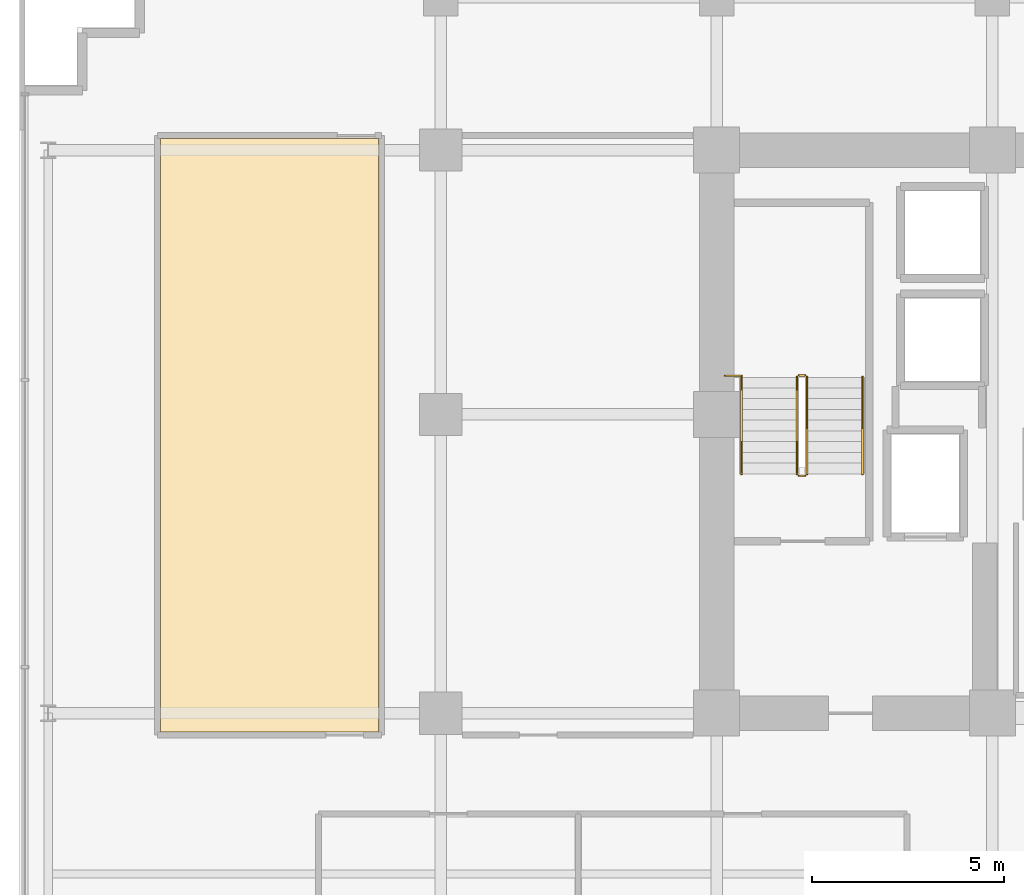
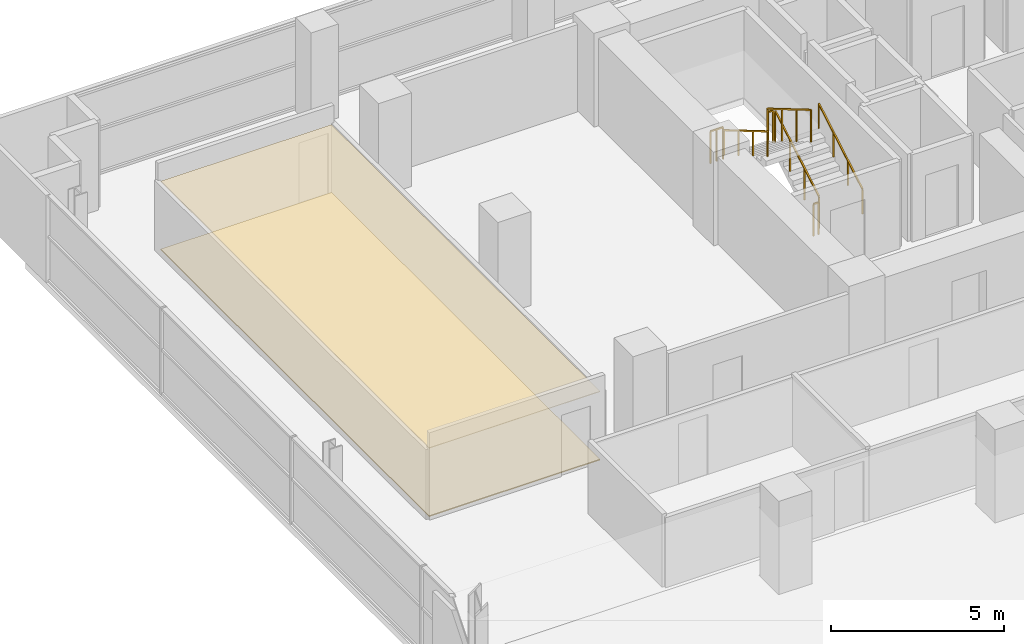
# One storey, part 27 of 30: 7 railings, 2 coverings.
"""IFC4 building model written with IfcOpenShell, lengths in metres."""

from ifc_helpers import new_model, si_unit, direction, frame, origin, origin_2d, place, context, subcontext, project, spatial, polyline, rectangle, outline, extrude, material, layer, layer_set, type_object, element, save


model = new_model("IFC4")

# Units and contexts
model_context = context("Model", 3, precision=1e-05, world=origin(), true_north=direction((0.0, 1.0)))
body_context = subcontext(model_context, "Body", "Model", "MODEL_VIEW")
ifc_project = project(units=[si_unit("LENGTHUNIT", "METRE"), si_unit("AREAUNIT", "SQUARE_METRE"), si_unit("VOLUMEUNIT", "CUBIC_METRE"), si_unit("PLANEANGLEUNIT", "RADIAN"), si_unit("MASSUNIT", "GRAM", prefix="KILO")], contexts=[model_context])

# Site, building, storey
site_placement = place(None, origin())
site = spatial("IfcSite", under=ifc_project, at=site_placement, CompositionType="ELEMENT")
building_placement = place(site_placement, origin())
building = spatial("IfcBuilding", under=site, at=building_placement, Name="Zarnakvel Exchange Tower", CompositionType="ELEMENT")
storey_placement = place(building_placement, frame((0.0, 0.0, 43.89990234375)))
storey = spatial("IfcBuildingStorey", under=building, at=storey_placement, Name="L11", CompositionType="ELEMENT", Elevation=43.89990234375)

# Coverings
ifc_material_1 = material(Name="Perforated Bronze Acoustic Metal Ceiling", Category="aluminium")
ifc_layer_1 = layer(ifc_material_1, 0.02001953125)
ifc_layer_set_1 = layer_set([ifc_layer_1], Name="Perforated Bronze Acoustic Metal Ceiling")
covering_type_1 = type_object("IfcCoveringType", Name="CLG-01", PredefinedType="CEILING", material=ifc_layer_set_1)
covering_1_placement = place(storey_placement, frame((0.0, 0.0, 2.405029296875)))
element("IfcCovering", 1, at=covering_1_placement, inside=storey, type_object=covering_type_1, Name="L11 Suspended Acoustic Ceiling (Staff Pantry)", PredefinedType="CEILING", context=body_context, shape_type="SweptSolid", body=[
    extrude(outline(polyline([(-28.916259765625, 13.800048828125), (-23.222900390625, 13.800048828125), (-23.222900390625, -1.68994140625), (-28.916259765625, -1.68994140625), (-28.916259765625, 13.800048828125)])), origin(), (0.0, 0.0, 1.0), 0.02001953125),
])
ifc_material_2 = material(Name="Heavy-Duty Raised Access Floor Panel", Category="steel")
ifc_layer_2 = layer(ifc_material_2, 0.034912109375)
ifc_layer_set_2 = layer_set([ifc_layer_2], Name="Heavy-Duty Raised Access Floor Panel")
covering_type_2 = type_object("IfcCoveringType", Name="FLR-02", PredefinedType="FLOORING", material=ifc_layer_set_2)
covering_2_placement = place(storey_placement, origin())
element("IfcCovering", 2, at=covering_2_placement, inside=storey, type_object=covering_type_2, Name="L11 Floor Finish (Staff Pantry)", PredefinedType="FLOORING", context=body_context, shape_type="SweptSolid", body=[
    extrude(outline(polyline([(-28.916259765625, 13.800048828125), (-23.222900390625, 13.800048828125), (-23.222900390625, -1.68994140625), (-28.916259765625, -1.68994140625), (-28.916259765625, 13.800048828125)])), origin(), (0.0, 0.0, 1.0), 0.03515625),
])

# Railings
ifc_material_3 = material(Name="Brushed Stainless Steel", Category="steel")
railing_type_1 = type_object("IfcRailingType", Name="HR-01", PredefinedType="HANDRAIL", material=ifc_material_3)
railing_1_placement = place(storey_placement, frame((-10.590087890625, 5.050048828125, 0.1650390625)))
element("IfcRailing", 3, at=railing_1_placement, inside=storey, type_object=railing_type_1, Name="L11 ST-01 stair handrail 1", PredefinedType="HANDRAIL", context=body_context, shape_type="SweptSolid", body=[
    extrude(rectangle(XDim=0.048095703125, YDim=0.048095703125, at=origin_2d()), frame((0.0, 0.0, 0.8759765625), z_axis=(0.0, 0.86152411907, 0.507716645641), x_axis=(-1.0, 0.0, 0.0)), (0.0, 0.0, 1.0), 2.925048828125),
    extrude(rectangle(XDim=0.0419921875, YDim=0.0419921875, at=origin_2d()), origin(), (0.0, 0.0, 1.0), 0.851806640625),
    extrude(rectangle(XDim=0.0419921875, YDim=0.0419921875, at=origin_2d()), frame((0.0, 0.840087890625, 0.4951171875)), (0.0, 0.0, 1.0), 0.851806640625),
    extrude(rectangle(XDim=0.0419921875, YDim=0.0419921875, at=origin_2d()), frame((0.0, 1.679931640625, 0.989990234375)), (0.0, 0.0, 1.0), 0.851806640625),
    extrude(rectangle(XDim=0.0419921875, YDim=0.0419921875, at=origin_2d()), frame((0.0, 2.52001953125, 1.485107421875)), (0.0, 0.0, 1.0), 0.851806640625),
])
railing_2_placement = place(storey_placement, frame((-13.75, 7.570068359375, 1.815185546875)))
element("IfcRailing", 4, at=railing_2_placement, inside=storey, type_object=railing_type_1, Name="L11 ST-01 stair handrail 2", PredefinedType="HANDRAIL", context=body_context, shape_type="SweptSolid", body=[
    extrude(rectangle(XDim=0.048095703125, YDim=0.048095703125, at=origin_2d()), frame((0.0, 0.0, 0.8759765625), z_axis=(0.0, -0.861560626758, 0.507654692109), x_axis=(1.0, 0.0, 0.0)), (0.0, 0.0, 1.0), 2.925048828125),
    extrude(rectangle(XDim=0.0419921875, YDim=0.0419921875, at=origin_2d()), origin(), (0.0, 0.0, 1.0), 0.851806640625),
    extrude(rectangle(XDim=0.0419921875, YDim=0.0419921875, at=origin_2d()), frame((0.0, -0.840087890625, 0.494873046875)), (0.0, 0.0, 1.0), 0.851806640625),
    extrude(rectangle(XDim=0.0419921875, YDim=0.0419921875, at=origin_2d()), frame((0.0, -1.679931640625, 0.989990234375)), (0.0, 0.0, 1.0), 0.851806640625),
    extrude(rectangle(XDim=0.0419921875, YDim=0.0419921875, at=origin_2d()), frame((0.0, -2.52001953125, 1.48486328125)), (0.0, 0.0, 1.0), 0.851806640625),
])
ifc_material_4 = material(Name="Architectural Bronze Anodised Aluminium", Category="aluminium")
railing_type_2 = type_object("IfcRailingType", Name="SG-01", PredefinedType="GUARDRAIL", material=ifc_material_4)
railing_3_placement = place(storey_placement, frame((-12.0400390625, 5.050048828125, 0.1650390625)))
element("IfcRailing", 5, at=railing_3_placement, inside=storey, type_object=railing_type_2, Name="L11 ST-01 stair guard 1", PredefinedType="GUARDRAIL", context=body_context, shape_type="SweptSolid", body=[
    extrude(rectangle(XDim=0.048095703125, YDim=0.048095703125, at=origin_2d()), frame((0.0, 0.0, 1.1259765625), z_axis=(0.0, 0.86152411907, 0.507716645641), x_axis=(-1.0, 0.0, 0.0)), (0.0, 0.0, 1.0), 2.925048828125),
    extrude(rectangle(XDim=0.0419921875, YDim=0.0419921875, at=origin_2d()), origin(), (0.0, 0.0, 1.0), 1.101806640625),
    extrude(rectangle(XDim=0.0419921875, YDim=0.0419921875, at=origin_2d()), frame((0.0, 0.840087890625, 0.4951171875)), (0.0, 0.0, 1.0), 1.101806640625),
    extrude(rectangle(XDim=0.0419921875, YDim=0.0419921875, at=origin_2d()), frame((0.0, 1.679931640625, 0.989990234375)), (0.0, 0.0, 1.0), 1.101806640625),
    extrude(rectangle(XDim=0.0419921875, YDim=0.0419921875, at=origin_2d()), frame((0.0, 2.52001953125, 1.485107421875)), (0.0, 0.0, 1.0), 1.101806640625),
])
railing_4_placement = place(storey_placement, frame((-12.090087890625, 7.6201171875, 1.650146484375)))
element("IfcRailing", 6, at=railing_4_placement, inside=storey, type_object=railing_type_2, Name="L11 ST-01 stair guard 2", PredefinedType="GUARDRAIL", context=body_context, shape_type="SweptSolid", body=[
    extrude(rectangle(XDim=0.048095703125, YDim=0.048095703125, at=origin_2d()), frame((0.0, 0.0, 1.1259765625), z_axis=(-1.0, 0.0, 0.0), x_axis=(0.0, -1.0, 0.0)), (0.0, 0.0, 1.0), 0.159912109375),
    extrude(rectangle(XDim=0.0419921875, YDim=0.0419921875, at=origin_2d()), origin(), (0.0, 0.0, 1.0), 1.101806640625),
    extrude(rectangle(XDim=0.0419921875, YDim=0.0419921875, at=origin_2d()), frame((-0.159912109375, 0.0, 0.0)), (0.0, 0.0, 1.0), 1.101806640625),
])
railing_5_placement = place(storey_placement, frame((-12.300048828125, 7.570068359375, 1.815185546875)))
element("IfcRailing", 7, at=railing_5_placement, inside=storey, type_object=railing_type_2, Name="L11 ST-01 stair guard 3", PredefinedType="GUARDRAIL", context=body_context, shape_type="SweptSolid", body=[
    extrude(rectangle(XDim=0.048095703125, YDim=0.048095703125, at=origin_2d()), frame((0.0, 0.0, 1.1259765625), z_axis=(0.0, -0.861560626758, 0.507654692109), x_axis=(1.0, 0.0, 0.0)), (0.0, 0.0, 1.0), 2.925048828125),
    extrude(rectangle(XDim=0.0419921875, YDim=0.0419921875, at=origin_2d()), origin(), (0.0, 0.0, 1.0), 1.101806640625),
    extrude(rectangle(XDim=0.0419921875, YDim=0.0419921875, at=origin_2d()), frame((0.0, -0.840087890625, 0.494873046875)), (0.0, 0.0, 1.0), 1.101806640625),
    extrude(rectangle(XDim=0.0419921875, YDim=0.0419921875, at=origin_2d()), frame((0.0, -1.679931640625, 0.989990234375)), (0.0, 0.0, 1.0), 1.101806640625),
    extrude(rectangle(XDim=0.0419921875, YDim=0.0419921875, at=origin_2d()), frame((0.0, -2.52001953125, 1.48486328125)), (0.0, 0.0, 1.0), 1.101806640625),
])
railing_6_placement = place(storey_placement, frame((-12.090087890625, 5.0, 0.0)))
element("IfcRailing", 8, at=railing_6_placement, inside=storey, type_object=railing_type_2, Name="L11 ST-01 stair guard 4", PredefinedType="GUARDRAIL", context=body_context, shape_type="SweptSolid", body=[
    extrude(rectangle(XDim=0.048095703125, YDim=0.048095703125, at=origin_2d()), frame((0.0, 0.0, 1.1259765625), z_axis=(-1.0, 0.0, 0.0), x_axis=(0.0, -1.0, 0.0)), (0.0, 0.0, 1.0), 0.159912109375),
    extrude(rectangle(XDim=0.0419921875, YDim=0.0419921875, at=origin_2d()), origin(), (0.0, 0.0, 1.0), 1.101806640625),
    extrude(rectangle(XDim=0.0419921875, YDim=0.0419921875, at=origin_2d()), frame((-0.159912109375, 0.0, 0.0)), (0.0, 0.0, 1.0), 1.101806640625),
])
railing_7_placement = place(storey_placement, frame((-14.179931640625, 7.610107421875, 1.650146484375)))
element("IfcRailing", 9, at=railing_7_placement, inside=storey, type_object=railing_type_2, Name="L11 ST-01 Landing Slot Guardrail", PredefinedType="GUARDRAIL", context=body_context, shape_type="SweptSolid", body=[
    extrude(rectangle(XDim=0.048095703125, YDim=0.048095703125, at=origin_2d()), frame((0.0, 0.0, 1.1259765625), z_axis=(1.0, 0.0, 0.0), x_axis=(0.0, 1.0, 0.0)), (0.0, 0.0, 1.0), 0.429931640625),
    extrude(rectangle(XDim=0.0419921875, YDim=0.0419921875, at=origin_2d()), origin(), (0.0, 0.0, 1.0), 1.101806640625),
    extrude(rectangle(XDim=0.0419921875, YDim=0.0419921875, at=origin_2d()), frame((0.21484375, 0.0, 0.0)), (0.0, 0.0, 1.0), 1.101806640625),
    extrude(rectangle(XDim=0.0419921875, YDim=0.0419921875, at=origin_2d()), frame((0.429931640625, 0.0, 0.0)), (0.0, 0.0, 1.0), 1.101806640625),
])

save(model, "model.ifc")
